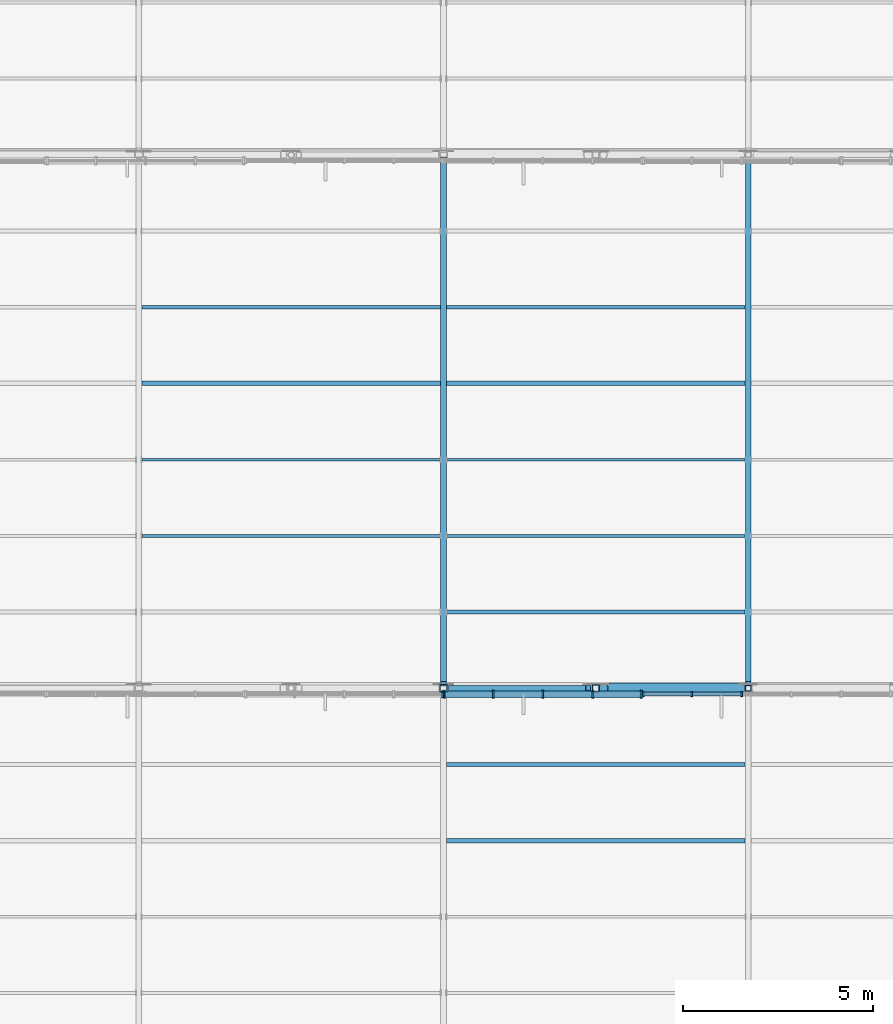
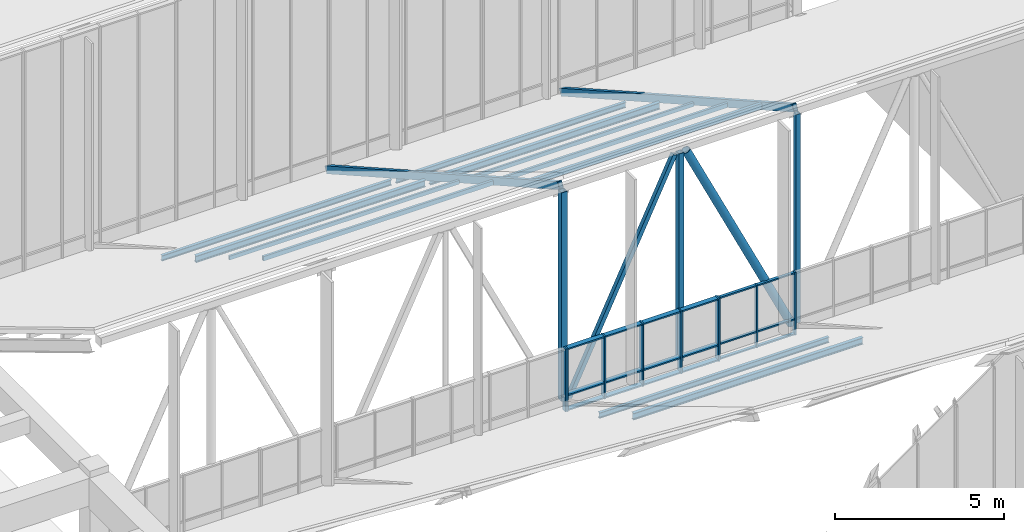
# One storey, part 59 of 155: 45 members, 3 elements without a shape of their own.
"""IFC4 building model written with IfcOpenShell, lengths in metres."""

from ifc_helpers import new_model, si_unit, direction, frame, origin, origin_2d, place, context, subcontext, project, spatial, rectangle, hollow_rectangle, hollow_circle, i_section, extrude, material, material_profile, profile_set, type_object, element, aggregate, save


model = new_model("IFC4")

# Units and contexts
model_context = context("Model", 3, precision=1e-05, world=origin(), true_north=direction((0.0, 1.0)))
body_context = subcontext(model_context, "Body", "Model", "MODEL_VIEW")
ifc_project = project(units=[si_unit("LENGTHUNIT", "METRE"), si_unit("AREAUNIT", "SQUARE_METRE"), si_unit("VOLUMEUNIT", "CUBIC_METRE"), si_unit("PLANEANGLEUNIT", "RADIAN"), si_unit("MASSUNIT", "GRAM", prefix="KILO")], contexts=[model_context])

# Site, building, storey
site_placement = place(None, origin())
site = spatial("IfcSite", under=ifc_project, at=site_placement, CompositionType="ELEMENT")
building_placement = place(site_placement, origin())
building = spatial("IfcBuilding", under=site, at=building_placement, Name="Larkveld Mobility Hub", CompositionType="ELEMENT")
storey_placement = place(building_placement, frame((0.0, 0.0, 8.39990234375)))
storey = spatial("IfcBuildingStorey", under=building, at=storey_placement, Name="L02", CompositionType="ELEMENT", Elevation=8.39990234375)

# Curtain wall, member
ifc_material_1 = material(Name="Anodised aluminium 6063-T6", Category="aluminium")
curtain_wall_type_1 = type_object("IfcCurtainWallType", Name="CW-SYS-10", PredefinedType="NOTDEFINED", material=ifc_material_1)
curtain_wall_1_placement = place(storey_placement, origin())
curtain_wall_1 = element("IfcCurtainWall", 1, at=curtain_wall_1_placement, inside=storey, type_object=curtain_wall_type_1, Name="Sawtooth South-Light Clerestory B5 CW-034", PredefinedType="NOTDEFINED")
ifc_material_profile_1 = material_profile(ifc_material_1, rectangle(XDim=0.050048828125, YDim=0.179931640625, at=origin_2d()), Name="ALU MULL 50x180")
ifc_profile_set_1 = profile_set([ifc_material_profile_1], Name="Anodised aluminium 6063-T6")
member_type_1 = type_object("IfcMemberType", Name="CW-MUL-02", PredefinedType="MULLION", material=ifc_profile_set_1)
member_1_placement = place(storey_placement, frame((167.97509765625, 83.844970703125, -0.001953125), z_axis=(0.0, 0.0, 1.0), x_axis=(1.0, 0.0, 0.0)))
member_1 = element("IfcMember", 2, at=member_1_placement, type_object=member_type_1, Name="CW10 mullion 5", PredefinedType="MULLION", context=body_context, shape_type="SweptSolid", body=[
    extrude(rectangle(XDim=0.050048828125, YDim=0.179931640625, at=origin_2d()), origin(), (0.0, 0.0, 1.0), 2.261962890625),
])
aggregate(curtain_wall_1, [member_1])

# Curtain wall, members
curtain_wall_type_2 = type_object("IfcCurtainWallType", Name="CW-SYS-11", PredefinedType="NOTDEFINED", material=ifc_material_1)
curtain_wall_2_placement = place(storey_placement, origin())
curtain_wall_2 = element("IfcCurtainWall", 3, at=curtain_wall_2_placement, inside=storey, type_object=curtain_wall_type_2, Name="Sawtooth South-Light Clerestory B5 CW-035", PredefinedType="NOTDEFINED")
ifc_material_profile_2 = material_profile(ifc_material_1, rectangle(XDim=0.050048828125, YDim=0.2099609375, at=origin_2d()), Name="ALU MULL 50x210")
ifc_profile_set_2 = profile_set([ifc_material_profile_2], Name="Anodised aluminium 6063-T6")
member_type_2 = type_object("IfcMemberType", Name="CW-MUL-03", PredefinedType="MULLION", material=ifc_profile_set_2)
member_2_placement = place(storey_placement, frame((168.02490234375, 83.844970703125, -0.001953125), z_axis=(0.0, 0.0, 1.0), x_axis=(1.0, 0.0, 0.0)))
member_2 = element("IfcMember", 4, at=member_2_placement, type_object=member_type_2, Name="CW11 mullion 1", PredefinedType="MULLION", context=body_context, shape_type="SweptSolid", body=[
    extrude(rectangle(XDim=0.050048828125, YDim=0.2099609375, at=origin_2d()), origin(), (0.0, 0.0, 1.0), 2.261962890625),
])
member_3_placement = place(storey_placement, frame((169.303955078125, 83.844970703125, -0.001953125), z_axis=(0.0, 0.0, 1.0), x_axis=(1.0, 0.0, 0.0)))
member_3 = element("IfcMember", 5, at=member_3_placement, type_object=member_type_2, Name="CW11 mullion 2", PredefinedType="MULLION", context=body_context, shape_type="SweptSolid", body=[
    extrude(rectangle(XDim=0.050048828125, YDim=0.2099609375, at=origin_2d()), origin(), (0.0, 0.0, 1.0), 2.261962890625),
])
member_4_placement = place(storey_placement, frame((170.60791015625, 83.844970703125, -0.001953125), z_axis=(0.0, 0.0, 1.0), x_axis=(1.0, 0.0, 0.0)))
member_4 = element("IfcMember", 6, at=member_4_placement, type_object=member_type_2, Name="CW11 mullion 3", PredefinedType="MULLION", context=body_context, shape_type="SweptSolid", body=[
    extrude(rectangle(XDim=0.050048828125, YDim=0.2099609375, at=origin_2d()), origin(), (0.0, 0.0, 1.0), 2.261962890625),
])
member_5_placement = place(storey_placement, frame((171.912109375, 83.844970703125, -0.001953125), z_axis=(0.0, 0.0, 1.0), x_axis=(1.0, 0.0, 0.0)))
member_5 = element("IfcMember", 7, at=member_5_placement, type_object=member_type_2, Name="CW11 mullion 4", PredefinedType="MULLION", context=body_context, shape_type="SweptSolid", body=[
    extrude(rectangle(XDim=0.050048828125, YDim=0.2099609375, at=origin_2d()), origin(), (0.0, 0.0, 1.0), 2.261962890625),
])
member_6_placement = place(storey_placement, frame((173.19189453125, 83.844970703125, -0.001953125), z_axis=(0.0, 0.0, 1.0), x_axis=(1.0, 0.0, 0.0)))
member_6 = element("IfcMember", 8, at=member_6_placement, type_object=member_type_2, Name="CW11 mullion 5", PredefinedType="MULLION", context=body_context, shape_type="SweptSolid", body=[
    extrude(rectangle(XDim=0.050048828125, YDim=0.2099609375, at=origin_2d()), origin(), (0.0, 0.0, 1.0), 2.261962890625),
])

curtain_wall_type_3 = type_object("IfcCurtainWallType", Name="CW-SYS-12", PredefinedType="NOTDEFINED", material=ifc_material_1)
curtain_wall_3_placement = place(storey_placement, origin())
curtain_wall_3 = element("IfcCurtainWall", 9, at=curtain_wall_3_placement, inside=storey, type_object=curtain_wall_type_3, Name="Sawtooth South-Light Clerestory B5 CW-036", PredefinedType="NOTDEFINED")
ifc_material_profile_3 = material_profile(ifc_material_1, rectangle(XDim=0.050048828125, YDim=0.1298828125, at=origin_2d()), Name="ALU MULL 50x130")
ifc_profile_set_3 = profile_set([ifc_material_profile_3], Name="Anodised aluminium 6063-T6")
member_type_3 = type_object("IfcMemberType", Name="CW-MUL-04", PredefinedType="MULLION", material=ifc_profile_set_3)
member_7_placement = place(storey_placement, frame((173.241943359375, 83.844970703125, -0.001953125), z_axis=(0.0, 0.0, 1.0), x_axis=(1.0, 0.0, 0.0)))
member_7 = element("IfcMember", 10, at=member_7_placement, type_object=member_type_3, Name="CW12 mullion 1", PredefinedType="MULLION", context=body_context, shape_type="SweptSolid", body=[
    extrude(rectangle(XDim=0.050048828125, YDim=0.1298828125, at=origin_2d()), origin(), (0.0, 0.0, 1.0), 2.261962890625),
])
member_8_placement = place(storey_placement, frame((174.52099609375, 83.844970703125, -0.001953125), z_axis=(0.0, 0.0, 1.0), x_axis=(1.0, 0.0, 0.0)))
member_8 = element("IfcMember", 11, at=member_8_placement, type_object=member_type_3, Name="CW12 mullion 2", PredefinedType="MULLION", context=body_context, shape_type="SweptSolid", body=[
    extrude(rectangle(XDim=0.050048828125, YDim=0.1298828125, at=origin_2d()), origin(), (0.0, 0.0, 1.0), 2.261962890625),
])
member_9_placement = place(storey_placement, frame((175.824951171875, 83.844970703125, -0.001953125), z_axis=(0.0, 0.0, 1.0), x_axis=(1.0, 0.0, 0.0)))
member_9 = element("IfcMember", 12, at=member_9_placement, type_object=member_type_3, Name="CW12 mullion 3", PredefinedType="MULLION", context=body_context, shape_type="SweptSolid", body=[
    extrude(rectangle(XDim=0.050048828125, YDim=0.1298828125, at=origin_2d()), origin(), (0.0, 0.0, 1.0), 2.261962890625),
])

# Member
ifc_material_profile_4 = material_profile(ifc_material_1, rectangle(XDim=0.169921875, YDim=0.050048828125, at=origin_2d()), Name="ALU TRAN 50x170")
ifc_profile_set_4 = profile_set([ifc_material_profile_4], Name="Anodised aluminium 6063-T6")
member_type_4 = type_object("IfcMemberType", Name="CW-TRN-03", PredefinedType="USERDEFINED", material=ifc_profile_set_4)
member_10_placement = place(storey_placement, frame((168.034912109375, 83.844970703125, 0.030029296875), z_axis=(1.0, 0.0, 0.0), x_axis=(0.0, 1.0, 0.0)))
member_10 = element("IfcMember", 13, at=member_10_placement, type_object=member_type_4, Name="CW11 transom 1.1", ObjectType="TRANSOM", PredefinedType="USERDEFINED", context=body_context, shape_type="SweptSolid", body=[
    extrude(rectangle(XDim=0.169921875, YDim=0.050048828125, at=origin_2d()), origin(), (0.0, 0.0, 1.0), 1.254150390625),
])

member_11_placement = place(storey_placement, frame((168.034912109375, 83.844970703125, 0.565185546875), z_axis=(1.0, 0.0, 0.0), x_axis=(0.0, 1.0, 0.0)))
member_11 = element("IfcMember", 14, at=member_11_placement, type_object=member_type_4, Name="CW11 transom 1.2", ObjectType="TRANSOM", PredefinedType="USERDEFINED", context=body_context, shape_type="SweptSolid", body=[
    extrude(rectangle(XDim=0.169921875, YDim=0.050048828125, at=origin_2d()), origin(), (0.0, 0.0, 1.0), 1.254150390625),
])

member_12_placement = place(storey_placement, frame((168.034912109375, 83.844970703125, 2.22802734375), z_axis=(1.0, 0.0, 0.0), x_axis=(0.0, 1.0, 0.0)))
member_12 = element("IfcMember", 15, at=member_12_placement, type_object=member_type_4, Name="CW11 transom 1.3", ObjectType="TRANSOM", PredefinedType="USERDEFINED", context=body_context, shape_type="SweptSolid", body=[
    extrude(rectangle(XDim=0.169921875, YDim=0.050048828125, at=origin_2d()), origin(), (0.0, 0.0, 1.0), 1.254150390625),
])

member_13_placement = place(storey_placement, frame((169.319091796875, 83.844970703125, 0.030029296875), z_axis=(1.0, 0.0, 0.0), x_axis=(0.0, 1.0, 0.0)))
member_13 = element("IfcMember", 16, at=member_13_placement, type_object=member_type_4, Name="CW11 transom 2.1", ObjectType="TRANSOM", PredefinedType="USERDEFINED", context=body_context, shape_type="SweptSolid", body=[
    extrude(rectangle(XDim=0.169921875, YDim=0.050048828125, at=origin_2d()), origin(), (0.0, 0.0, 1.0), 1.27392578125),
])

member_14_placement = place(storey_placement, frame((169.319091796875, 83.844970703125, 0.565185546875), z_axis=(1.0, 0.0, 0.0), x_axis=(0.0, 1.0, 0.0)))
member_14 = element("IfcMember", 17, at=member_14_placement, type_object=member_type_4, Name="CW11 transom 2.2", ObjectType="TRANSOM", PredefinedType="USERDEFINED", context=body_context, shape_type="SweptSolid", body=[
    extrude(rectangle(XDim=0.169921875, YDim=0.050048828125, at=origin_2d()), origin(), (0.0, 0.0, 1.0), 1.27392578125),
])

member_15_placement = place(storey_placement, frame((169.319091796875, 83.844970703125, 2.22802734375), z_axis=(1.0, 0.0, 0.0), x_axis=(0.0, 1.0, 0.0)))
member_15 = element("IfcMember", 18, at=member_15_placement, type_object=member_type_4, Name="CW11 transom 2.3", ObjectType="TRANSOM", PredefinedType="USERDEFINED", context=body_context, shape_type="SweptSolid", body=[
    extrude(rectangle(XDim=0.169921875, YDim=0.050048828125, at=origin_2d()), origin(), (0.0, 0.0, 1.0), 1.27392578125),
])

member_16_placement = place(storey_placement, frame((170.623046875, 83.844970703125, 0.030029296875), z_axis=(1.0, 0.0, 0.0), x_axis=(0.0, 1.0, 0.0)))
member_16 = element("IfcMember", 19, at=member_16_placement, type_object=member_type_4, Name="CW11 transom 3.1", ObjectType="TRANSOM", PredefinedType="USERDEFINED", context=body_context, shape_type="SweptSolid", body=[
    extrude(rectangle(XDim=0.169921875, YDim=0.050048828125, at=origin_2d()), origin(), (0.0, 0.0, 1.0), 1.27490234375),
])

member_17_placement = place(storey_placement, frame((170.623046875, 83.844970703125, 0.565185546875), z_axis=(1.0, 0.0, 0.0), x_axis=(0.0, 1.0, 0.0)))
member_17 = element("IfcMember", 20, at=member_17_placement, type_object=member_type_4, Name="CW11 transom 3.2", ObjectType="TRANSOM", PredefinedType="USERDEFINED", context=body_context, shape_type="SweptSolid", body=[
    extrude(rectangle(XDim=0.169921875, YDim=0.050048828125, at=origin_2d()), origin(), (0.0, 0.0, 1.0), 1.27490234375),
])

member_18_placement = place(storey_placement, frame((170.623046875, 83.844970703125, 2.22802734375), z_axis=(1.0, 0.0, 0.0), x_axis=(0.0, 1.0, 0.0)))
member_18 = element("IfcMember", 21, at=member_18_placement, type_object=member_type_4, Name="CW11 transom 3.3", ObjectType="TRANSOM", PredefinedType="USERDEFINED", context=body_context, shape_type="SweptSolid", body=[
    extrude(rectangle(XDim=0.169921875, YDim=0.050048828125, at=origin_2d()), origin(), (0.0, 0.0, 1.0), 1.27490234375),
])

member_19_placement = place(storey_placement, frame((171.927978515625, 83.844970703125, 0.030029296875), z_axis=(1.0, 0.0, 0.0), x_axis=(0.0, 1.0, 0.0)))
member_19 = element("IfcMember", 22, at=member_19_placement, type_object=member_type_4, Name="CW11 transom 4.1", ObjectType="TRANSOM", PredefinedType="USERDEFINED", context=body_context, shape_type="SweptSolid", body=[
    extrude(rectangle(XDim=0.169921875, YDim=0.050048828125, at=origin_2d()), origin(), (0.0, 0.0, 1.0), 1.25390625),
])

member_20_placement = place(storey_placement, frame((171.927978515625, 83.844970703125, 0.565185546875), z_axis=(1.0, 0.0, 0.0), x_axis=(0.0, 1.0, 0.0)))
member_20 = element("IfcMember", 23, at=member_20_placement, type_object=member_type_4, Name="CW11 transom 4.2", ObjectType="TRANSOM", PredefinedType="USERDEFINED", context=body_context, shape_type="SweptSolid", body=[
    extrude(rectangle(XDim=0.169921875, YDim=0.050048828125, at=origin_2d()), origin(), (0.0, 0.0, 1.0), 1.25390625),
])

member_21_placement = place(storey_placement, frame((171.927978515625, 83.844970703125, 2.22802734375), z_axis=(1.0, 0.0, 0.0), x_axis=(0.0, 1.0, 0.0)))
member_21 = element("IfcMember", 24, at=member_21_placement, type_object=member_type_4, Name="CW11 transom 4.3", ObjectType="TRANSOM", PredefinedType="USERDEFINED", context=body_context, shape_type="SweptSolid", body=[
    extrude(rectangle(XDim=0.169921875, YDim=0.050048828125, at=origin_2d()), origin(), (0.0, 0.0, 1.0), 1.25390625),
])

aggregate(curtain_wall_2, [member_2, member_3, member_4, member_5, member_6, member_10, member_11, member_12, member_13, member_14, member_15, member_16, member_17, member_18, member_19, member_20, member_21])

ifc_material_profile_5 = material_profile(ifc_material_1, rectangle(XDim=0.10009765625, YDim=0.050048828125, at=origin_2d()), Name="ALU TRAN 50x100")
ifc_profile_set_5 = profile_set([ifc_material_profile_5], Name="Anodised aluminium 6063-T6")
member_type_5 = type_object("IfcMemberType", Name="CW-TRN-04", PredefinedType="USERDEFINED", material=ifc_profile_set_5)
member_22_placement = place(storey_placement, frame((173.251953125, 83.844970703125, 0.030029296875), z_axis=(1.0, 0.0, 0.0), x_axis=(0.0, 1.0, 0.0)))
member_22 = element("IfcMember", 25, at=member_22_placement, type_object=member_type_5, Name="CW12 transom 1.1", ObjectType="TRANSOM", PredefinedType="USERDEFINED", context=body_context, shape_type="SweptSolid", body=[
    extrude(rectangle(XDim=0.10009765625, YDim=0.050048828125, at=origin_2d()), origin(), (0.0, 0.0, 1.0), 1.254150390625),
])

member_23_placement = place(storey_placement, frame((173.251953125, 83.844970703125, 0.565185546875), z_axis=(1.0, 0.0, 0.0), x_axis=(0.0, 1.0, 0.0)))
member_23 = element("IfcMember", 26, at=member_23_placement, type_object=member_type_5, Name="CW12 transom 1.2", ObjectType="TRANSOM", PredefinedType="USERDEFINED", context=body_context, shape_type="SweptSolid", body=[
    extrude(rectangle(XDim=0.10009765625, YDim=0.050048828125, at=origin_2d()), origin(), (0.0, 0.0, 1.0), 1.254150390625),
])

member_24_placement = place(storey_placement, frame((173.251953125, 83.844970703125, 2.22802734375), z_axis=(1.0, 0.0, 0.0), x_axis=(0.0, 1.0, 0.0)))
member_24 = element("IfcMember", 27, at=member_24_placement, type_object=member_type_5, Name="CW12 transom 1.3", ObjectType="TRANSOM", PredefinedType="USERDEFINED", context=body_context, shape_type="SweptSolid", body=[
    extrude(rectangle(XDim=0.10009765625, YDim=0.050048828125, at=origin_2d()), origin(), (0.0, 0.0, 1.0), 1.254150390625),
])

member_25_placement = place(storey_placement, frame((174.535888671875, 83.844970703125, 0.030029296875), z_axis=(1.0, 0.0, 0.0), x_axis=(0.0, 1.0, 0.0)))
member_25 = element("IfcMember", 28, at=member_25_placement, type_object=member_type_5, Name="CW12 transom 2.1", ObjectType="TRANSOM", PredefinedType="USERDEFINED", context=body_context, shape_type="SweptSolid", body=[
    extrude(rectangle(XDim=0.10009765625, YDim=0.050048828125, at=origin_2d()), origin(), (0.0, 0.0, 1.0), 1.274169921875),
])

member_26_placement = place(storey_placement, frame((174.535888671875, 83.844970703125, 0.565185546875), z_axis=(1.0, 0.0, 0.0), x_axis=(0.0, 1.0, 0.0)))
member_26 = element("IfcMember", 29, at=member_26_placement, type_object=member_type_5, Name="CW12 transom 2.2", ObjectType="TRANSOM", PredefinedType="USERDEFINED", context=body_context, shape_type="SweptSolid", body=[
    extrude(rectangle(XDim=0.10009765625, YDim=0.050048828125, at=origin_2d()), origin(), (0.0, 0.0, 1.0), 1.274169921875),
])

member_27_placement = place(storey_placement, frame((174.535888671875, 83.844970703125, 2.22802734375), z_axis=(1.0, 0.0, 0.0), x_axis=(0.0, 1.0, 0.0)))
member_27 = element("IfcMember", 30, at=member_27_placement, type_object=member_type_5, Name="CW12 transom 2.3", ObjectType="TRANSOM", PredefinedType="USERDEFINED", context=body_context, shape_type="SweptSolid", body=[
    extrude(rectangle(XDim=0.10009765625, YDim=0.050048828125, at=origin_2d()), origin(), (0.0, 0.0, 1.0), 1.274169921875),
])

aggregate(curtain_wall_3, [member_7, member_8, member_9, member_22, member_23, member_24, member_25, member_26, member_27])

# Members
ifc_material_2 = material(Name="Steel S355JR", Category="steel")
ifc_material_profile_6 = material_profile(ifc_material_2, hollow_circle(Radius=0.136474609375, WallThickness=0.012451171875, at=origin_2d()), Name="CHS 273x12.5")
ifc_profile_set_6 = profile_set([ifc_material_profile_6], Name="Steel S355JR")
member_type_6 = type_object("IfcMemberType", Name="MB-BR-CHS273", PredefinedType="BRACE", material=ifc_profile_set_6)
member_28_placement = place(storey_placement, frame((172.199951171875, 84.0, 7.8251953125), z_axis=(0.43156423058, 0.0, -0.902082210712), x_axis=(0.0, 1.0, 0.0)))
element("IfcMember", 31, at=member_28_placement, inside=storey, type_object=member_type_6, Name="ROOF TRUSS T5 Web Diagonal 6", PredefinedType="BRACE", context=body_context, shape_type="SweptSolid", body=[
    extrude(hollow_circle(Radius=0.136474609375, WallThickness=0.012451171875, at=origin_2d()), origin(), (0.0, 0.0, 1.0), 8.342041015625),
])
ifc_material_profile_7 = material_profile(ifc_material_2, hollow_rectangle(XDim=0.14990234375, YDim=0.14990234375, WallThickness=0.008056640625, at=origin_2d()), Name="SHS 150x150x8")
ifc_profile_set_7 = profile_set([ifc_material_profile_7], Name="Steel S355JR")
member_type_7 = type_object("IfcMemberType", Name="MB-BR-SHS150", PredefinedType="BRACE", material=ifc_profile_set_7)
member_29_placement = place(storey_placement, frame((168.199951171875, 84.0, 0.300048828125), z_axis=(0.43156423058, 0.0, 0.902082210712), x_axis=(0.0, 1.0, 0.0)))
element("IfcMember", 32, at=member_29_placement, inside=storey, type_object=member_type_7, Name="ROOF TRUSS T5 Web Diagonal 5", PredefinedType="BRACE", context=body_context, shape_type="SweptSolid", body=[
    extrude(hollow_rectangle(XDim=0.14990234375, YDim=0.14990234375, WallThickness=0.008056640625, at=origin_2d()), origin(), (0.0, 0.0, 1.0), 8.342041015625),
])
member_30_placement = place(storey_placement, frame((176.0, 84.0, 0.300048828125), z_axis=(0.0, 0.0, 1.0), x_axis=(1.0, 0.0, 0.0)))
element("IfcMember", 33, at=member_30_placement, inside=storey, type_object=member_type_7, Name="ROOF TRUSS T5 Vertical Post 6", PredefinedType="BRACE", context=body_context, shape_type="SweptSolid", body=[
    extrude(hollow_rectangle(XDim=0.14990234375, YDim=0.14990234375, WallThickness=0.008056640625, at=origin_2d()), origin(), (0.0, 0.0, 1.0), 7.525146484375),
])
ifc_material_profile_8 = material_profile(ifc_material_2, hollow_rectangle(XDim=0.179931640625, YDim=0.179931640625, WallThickness=0.010009765625, at=origin_2d()), Name="SHS 180x180x10")
ifc_profile_set_8 = profile_set([ifc_material_profile_8], Name="Steel S355JR")
member_type_8 = type_object("IfcMemberType", Name="MB-BR-SHS180", PredefinedType="BRACE", material=ifc_profile_set_8)
member_31_placement = place(storey_placement, frame((172.0, 84.0, 0.300048828125), z_axis=(0.0, 0.0, 1.0), x_axis=(1.0, 0.0, 0.0)))
element("IfcMember", 34, at=member_31_placement, inside=storey, type_object=member_type_8, Name="ROOF TRUSS T5 Vertical Post 5", PredefinedType="BRACE", context=body_context, shape_type="SweptSolid", body=[
    extrude(hollow_rectangle(XDim=0.179931640625, YDim=0.179931640625, WallThickness=0.010009765625, at=origin_2d()), origin(), (0.0, 0.0, 1.0), 7.525146484375),
])
ifc_material_profile_9 = material_profile(ifc_material_2, hollow_rectangle(XDim=0.199951171875, YDim=0.199951171875, WallThickness=0.010009765625, at=origin_2d()), Name="SHS 200x200x10")
ifc_profile_set_9 = profile_set([ifc_material_profile_9], Name="Steel S355JR")
member_type_9 = type_object("IfcMemberType", Name="MB-BR-SHS200", PredefinedType="BRACE", material=ifc_profile_set_9)
member_32_placement = place(storey_placement, frame((168.0, 84.0, 0.300048828125), z_axis=(0.0, 0.0, 1.0), x_axis=(1.0, 0.0, 0.0)))
element("IfcMember", 35, at=member_32_placement, inside=storey, type_object=member_type_9, Name="ROOF TRUSS T5 Vertical Post 4", PredefinedType="BRACE", context=body_context, shape_type="SweptSolid", body=[
    extrude(hollow_rectangle(XDim=0.199951171875, YDim=0.199951171875, WallThickness=0.010009765625, at=origin_2d()), origin(), (0.0, 0.0, 1.0), 7.525146484375),
])
ifc_material_profile_10 = material_profile(ifc_material_2, hollow_rectangle(XDim=0.14990234375, YDim=0.25, WallThickness=0.010009765625, at=origin_2d()), Name="RHS 250x150x10")
ifc_profile_set_10 = profile_set([ifc_material_profile_10], Name="Steel S355JR")
member_type_10 = type_object("IfcMemberType", Name="MB-CH-RHS250", PredefinedType="CHORD", material=ifc_profile_set_10)
for number, where, z_axis, x_axis, name in (
    (36, (168.0, 84.1201171875, 7.9501953125), (0.0, 0.870759014799, -0.491710014283), (-1.0, 0.0, 0.0), "ROOF TRUSS Sloped Rafter Chord B5-168"),
    (37, (176.0, 84.1201171875, 7.9501953125), (0.0, 0.870759014799, -0.491710014283), (-1.0, 0.0, 0.0), "ROOF TRUSS Sloped Rafter Chord B5-176"),
):
    element("IfcMember", number, at=place(storey_placement, frame(where, z_axis=z_axis, x_axis=x_axis)), inside=storey, type_object=member_type_10, Name=name, PredefinedType="CHORD", context=body_context, shape_type="SweptSolid", body=[
        extrude(hollow_rectangle(XDim=0.14990234375, YDim=0.25, WallThickness=0.010009765625, at=origin_2d()), origin(), (0.0, 0.0, 1.0), 15.802001953125),
    ])
ifc_material_profile_11 = material_profile(ifc_material_2, i_section(OverallWidth=0.10009765625, OverallDepth=0.199951171875, WebThickness=0.005615234375, FlangeThickness=0.008544921875, FilletRadius=0.011962890625, at=origin_2d()), Name="IPE 200")
ifc_profile_set_11 = profile_set([ifc_material_profile_11], Name="Steel S355JR")
member_type_11 = type_object("IfcMemberType", Name="MB-PR-IPE200", PredefinedType="PURLIN", material=ifc_profile_set_11)
for number, where, z_axis, x_axis, name in (
    (38, (168.080078125, 82.0, 0.906982421875), (1.0, 0.0, 0.0), (0.0, 1.0, 0.0), "Sawtooth Roof Purlin B4-6.3"),
    (39, (160.080078125, 94.0, 2.107177734375), (1.0, 0.0, 0.0), (0.0, 1.0, 0.0), "Sawtooth Roof Purlin B5-5.2"),
    (40, (168.080078125, 94.0, 2.107177734375), (1.0, 0.0, 0.0), (0.0, 1.0, 0.0), "Sawtooth Roof Purlin B5-5.3"),
):
    element("IfcMember", number, at=place(storey_placement, frame(where, z_axis=z_axis, x_axis=x_axis)), inside=storey, type_object=member_type_11, Name=name, PredefinedType="PURLIN", context=body_context, shape_type="SweptSolid", body=[
        extrude(i_section(OverallWidth=0.10009765625, OverallDepth=0.199951171875, WebThickness=0.005615234375, FlangeThickness=0.008544921875, FilletRadius=0.011962890625, at=origin_2d()), origin(), (0.0, 0.0, 1.0), 7.83984375),
    ])
ifc_material_profile_12 = material_profile(ifc_material_2, i_section(OverallWidth=0.1201171875, OverallDepth=0.239990234375, WebThickness=0.006103515625, FlangeThickness=0.009765625, FilletRadius=0.014892578125, at=origin_2d()), Name="IPE 240")
ifc_profile_set_12 = profile_set([ifc_material_profile_12], Name="Steel S355JR")
member_type_12 = type_object("IfcMemberType", Name="MB-PR-IPE240", PredefinedType="PURLIN", material=ifc_profile_set_12)
for number, where, z_axis, x_axis, name in (
    (41, (168.080078125, 80.0, 2.087158203125), (1.0, 0.0, 0.0), (0.0, 1.0, 0.0), "Sawtooth Roof Purlin B4-5.3"),
    (42, (160.080078125, 92.0, 3.287109375), (1.0, 0.0, 0.0), (0.0, 1.0, 0.0), "Sawtooth Roof Purlin B5-4.2"),
    (43, (168.080078125, 92.0, 3.287109375), (1.0, 0.0, 0.0), (0.0, 1.0, 0.0), "Sawtooth Roof Purlin B5-4.3"),
):
    element("IfcMember", number, at=place(storey_placement, frame(where, z_axis=z_axis, x_axis=x_axis)), inside=storey, type_object=member_type_12, Name=name, PredefinedType="PURLIN", context=body_context, shape_type="SweptSolid", body=[
        extrude(i_section(OverallWidth=0.1201171875, OverallDepth=0.239990234375, WebThickness=0.006103515625, FlangeThickness=0.009765625, FilletRadius=0.014892578125, at=origin_2d()), origin(), (0.0, 0.0, 1.0), 7.83984375),
    ])
ifc_material_profile_13 = material_profile(ifc_material_2, hollow_rectangle(XDim=0.070068359375, YDim=0.139892578125, WallThickness=0.00634765625, at=origin_2d()), Name="RHS 140x70x6.3")
ifc_profile_set_13 = profile_set([ifc_material_profile_13], Name="Steel S355JR")
member_type_13 = type_object("IfcMemberType", Name="MB-PR-RHS140", PredefinedType="PURLIN", material=ifc_profile_set_13)
for number, where, z_axis, x_axis, name in (
    (44, (160.080078125, 90.0, 4.537109375), (1.0, 0.0, 0.0), (0.0, 1.0, 0.0), "Sawtooth Roof Purlin B5-3.2"),
    (45, (168.080078125, 90.0, 4.537109375), (1.0, 0.0, 0.0), (0.0, 1.0, 0.0), "Sawtooth Roof Purlin B5-3.3"),
):
    element("IfcMember", number, at=place(storey_placement, frame(where, z_axis=z_axis, x_axis=x_axis)), inside=storey, type_object=member_type_13, Name=name, PredefinedType="PURLIN", context=body_context, shape_type="SweptSolid", body=[
        extrude(hollow_rectangle(XDim=0.070068359375, YDim=0.139892578125, WallThickness=0.00634765625, at=origin_2d()), origin(), (0.0, 0.0, 1.0), 7.83984375),
    ])
ifc_material_profile_14 = material_profile(ifc_material_2, hollow_rectangle(XDim=0.080078125, YDim=0.159912109375, WallThickness=0.008056640625, at=origin_2d()), Name="RHS 160x80x8")
ifc_profile_set_14 = profile_set([ifc_material_profile_14], Name="Steel S355JR")
member_type_14 = type_object("IfcMemberType", Name="MB-PR-RHS160", PredefinedType="PURLIN", material=ifc_profile_set_14)
for number, where, z_axis, x_axis, name in (
    (46, (160.080078125, 88.0, 5.72705078125), (1.0, 0.0, 0.0), (0.0, 1.0, 0.0), "Sawtooth Roof Purlin B5-2.2"),
    (47, (168.080078125, 88.0, 5.72705078125), (1.0, 0.0, 0.0), (0.0, 1.0, 0.0), "Sawtooth Roof Purlin B5-2.3"),
):
    element("IfcMember", number, at=place(storey_placement, frame(where, z_axis=z_axis, x_axis=x_axis)), inside=storey, type_object=member_type_14, Name=name, PredefinedType="PURLIN", context=body_context, shape_type="SweptSolid", body=[
        extrude(hollow_rectangle(XDim=0.080078125, YDim=0.159912109375, WallThickness=0.008056640625, at=origin_2d()), origin(), (0.0, 0.0, 1.0), 7.83984375),
    ])
ifc_material_profile_15 = material_profile(ifc_material_2, hollow_rectangle(XDim=0.10009765625, YDim=0.199951171875, WallThickness=0.008056640625, at=origin_2d()), Name="RHS 200x100x8")
ifc_profile_set_15 = profile_set([ifc_material_profile_15], Name="Steel S355JR")
member_type_15 = type_object("IfcMemberType", Name="MB-PR-RHS200", PredefinedType="PURLIN", material=ifc_profile_set_15)
member_33_placement = place(storey_placement, frame((168.080078125, 86.0, 6.906982421875), z_axis=(1.0, 0.0, 0.0), x_axis=(0.0, 1.0, 0.0)))
element("IfcMember", 48, at=member_33_placement, inside=storey, type_object=member_type_15, Name="Sawtooth Roof Purlin B5-1.3", PredefinedType="PURLIN", context=body_context, shape_type="SweptSolid", body=[
    extrude(hollow_rectangle(XDim=0.10009765625, YDim=0.199951171875, WallThickness=0.008056640625, at=origin_2d()), origin(), (0.0, 0.0, 1.0), 7.83984375),
])

save(model, "model.ifc")
